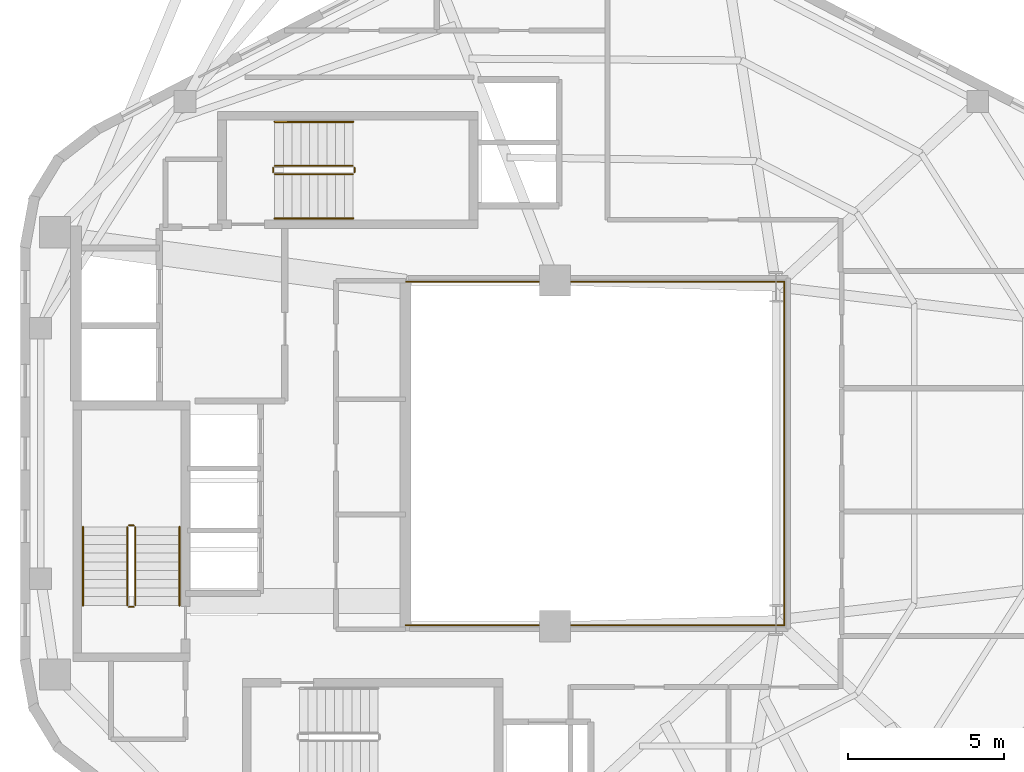
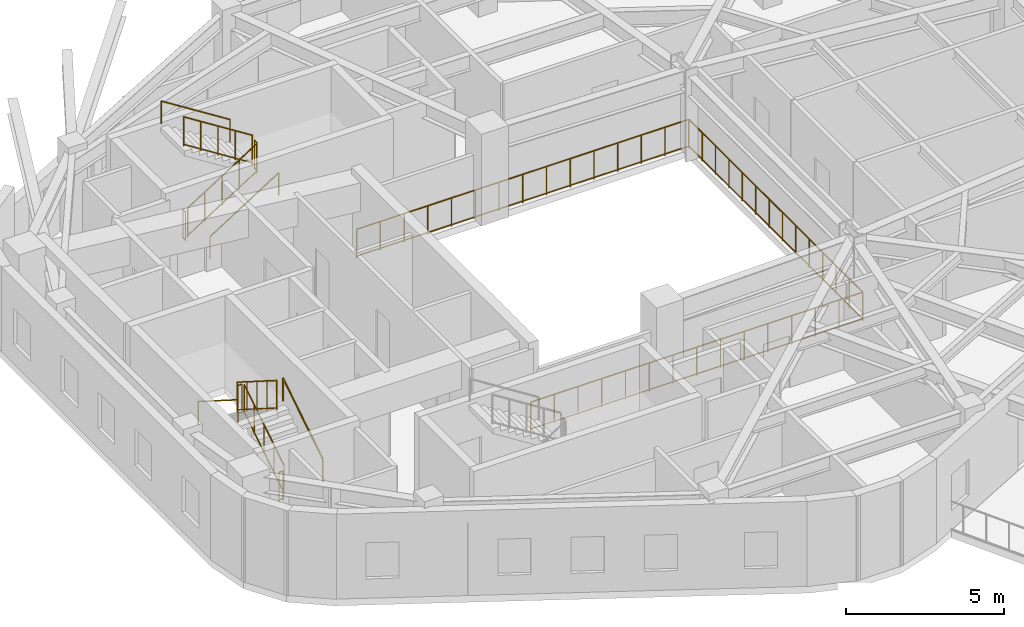
# One storey, part 8 of 8: 13 railings.
"""IFC4 building model written with IfcOpenShell, lengths in metres."""

from ifc_helpers import new_model, si_unit, direction, frame, origin, origin_2d, place, context, subcontext, project, spatial, circle, extrude, material, type_object, element, save


model = new_model("IFC4")

# Units and contexts
model_context = context("Model", 3, precision=1e-05, world=origin(), true_north=direction((0.0, 1.0)))
body_context = subcontext(model_context, "Body", "Model", "MODEL_VIEW")
ifc_project = project(units=[si_unit("LENGTHUNIT", "METRE"), si_unit("AREAUNIT", "SQUARE_METRE"), si_unit("VOLUMEUNIT", "CUBIC_METRE"), si_unit("PLANEANGLEUNIT", "RADIAN"), si_unit("MASSUNIT", "GRAM", prefix="KILO"), si_unit("THERMODYNAMICTEMPERATUREUNIT", "KELVIN"), si_unit("POWERUNIT", "WATT")], contexts=[model_context])

# Site, building, storey
site_placement = place(None, origin())
site = spatial("IfcSite", under=ifc_project, at=site_placement, CompositionType="ELEMENT")
building_placement = place(site_placement, origin())
building = spatial("IfcBuilding", under=site, at=building_placement, Name="Skarre Station Tower", CompositionType="ELEMENT")
storey_placement = place(building_placement, frame((0.0, 0.0, 245.449951171875)))
storey = spatial("IfcBuildingStorey", under=building, at=storey_placement, Name="L67", CompositionType="ELEMENT", Elevation=245.449951171875)

# Railings
ifc_material_1 = material(Name="Bronze Anodized Steel & Laminated Glass Balustrade", Category="steel")
railing_type_1 = type_object("IfcRailingType", Name="Atrium Void & Mezzanine Guard Balustrade 1120", PredefinedType="GUARDRAIL", material=ifc_material_1)
railing_1_placement = place(storey_placement, frame((27.550048828125, 18.47998046875, 0.0)))
element("IfcRailing", 1, at=railing_1_placement, inside=storey, type_object=railing_type_1, Name="L67 Atrium Void Guard Balustrade", PredefinedType="GUARDRAIL", context=body_context, shape_type="SweptSolid", body=[
    extrude(circle(Radius=0.02392578125, at=origin_2d()), frame((0.0, 0.0, 1.09619140625), z_axis=(1.0, 0.0, 0.0), x_axis=(0.0, 1.0, 0.0)), (0.0, 0.0, 1.0), 12.169921875),
    extrude(circle(Radius=0.02099609375, at=origin_2d()), frame((0.0, 0.0, 0.06005859375), z_axis=(1.0, 0.0, 0.0), x_axis=(0.0, 1.0, 0.0)), (0.0, 0.0, 1.0), 12.169921875),
    extrude(circle(Radius=0.02392578125, at=origin_2d()), frame((12.169921875, 0.0, 1.09619140625), z_axis=(0.0, 1.0, 0.0), x_axis=(-1.0, 0.0, 0.0)), (0.0, 0.0, 1.0), 11.0400390625),
    extrude(circle(Radius=0.02099609375, at=origin_2d()), frame((12.169921875, 0.0, 0.06005859375), z_axis=(0.0, 1.0, 0.0), x_axis=(-1.0, 0.0, 0.0)), (0.0, 0.0, 1.0), 11.0400390625),
    extrude(circle(Radius=0.02392578125, at=origin_2d()), frame((12.169921875, 11.0400390625, 1.09619140625), z_axis=(-1.0, 0.0, 0.0), x_axis=(0.0, -1.0, 0.0)), (0.0, 0.0, 1.0), 12.169921875),
    extrude(circle(Radius=0.02099609375, at=origin_2d()), frame((12.169921875, 11.0400390625, 0.06005859375), z_axis=(-1.0, 0.0, 0.0), x_axis=(0.0, -1.0, 0.0)), (0.0, 0.0, 1.0), 12.169921875),
    extrude(circle(Radius=0.02099609375, at=origin_2d()), origin(), (0.0, 0.0, 1.0), 1.072021484375),
    extrude(circle(Radius=0.02099609375, at=origin_2d()), frame((0.869384765625, 0.0, 0.0)), (0.0, 0.0, 1.0), 1.072021484375),
    extrude(circle(Radius=0.02099609375, at=origin_2d()), frame((1.738525390625, 0.0, 0.0)), (0.0, 0.0, 1.0), 1.072021484375),
    extrude(circle(Radius=0.02099609375, at=origin_2d()), frame((2.60791015625, 0.0, 0.0)), (0.0, 0.0, 1.0), 1.072021484375),
    extrude(circle(Radius=0.02099609375, at=origin_2d()), frame((3.47705078125, 0.0, 0.0)), (0.0, 0.0, 1.0), 1.072021484375),
    extrude(circle(Radius=0.02099609375, at=origin_2d()), frame((4.346435546875, 0.0, 0.0)), (0.0, 0.0, 1.0), 1.072021484375),
    extrude(circle(Radius=0.02099609375, at=origin_2d()), frame((5.215576171875, 0.0, 0.0)), (0.0, 0.0, 1.0), 1.072021484375),
    extrude(circle(Radius=0.02099609375, at=origin_2d()), frame((6.0849609375, 0.0, 0.0)), (0.0, 0.0, 1.0), 1.072021484375),
    extrude(circle(Radius=0.02099609375, at=origin_2d()), frame((6.954345703125, 0.0, 0.0)), (0.0, 0.0, 1.0), 1.072021484375),
    extrude(circle(Radius=0.02099609375, at=origin_2d()), frame((7.823486328125, 0.0, 0.0)), (0.0, 0.0, 1.0), 1.072021484375),
    extrude(circle(Radius=0.02099609375, at=origin_2d()), frame((8.69287109375, 0.0, 0.0)), (0.0, 0.0, 1.0), 1.072021484375),
    extrude(circle(Radius=0.02099609375, at=origin_2d()), frame((9.56201171875, 0.0, 0.0)), (0.0, 0.0, 1.0), 1.072021484375),
    extrude(circle(Radius=0.02099609375, at=origin_2d()), frame((10.431396484375, 0.0, 0.0)), (0.0, 0.0, 1.0), 1.072021484375),
    extrude(circle(Radius=0.02099609375, at=origin_2d()), frame((11.300537109375, 0.0, 0.0)), (0.0, 0.0, 1.0), 1.072021484375),
    extrude(circle(Radius=0.02099609375, at=origin_2d()), frame((12.169921875, 0.0, 0.0)), (0.0, 0.0, 1.0), 1.072021484375),
    extrude(circle(Radius=0.02099609375, at=origin_2d()), frame((12.169921875, 0.84912109375, 0.0)), (0.0, 0.0, 1.0), 1.072021484375),
    extrude(circle(Radius=0.02099609375, at=origin_2d()), frame((12.169921875, 1.698486328125, 0.0)), (0.0, 0.0, 1.0), 1.072021484375),
    extrude(circle(Radius=0.02099609375, at=origin_2d()), frame((12.169921875, 2.547607421875, 0.0)), (0.0, 0.0, 1.0), 1.072021484375),
    extrude(circle(Radius=0.02099609375, at=origin_2d()), frame((12.169921875, 3.39697265625, 0.0)), (0.0, 0.0, 1.0), 1.072021484375),
    extrude(circle(Radius=0.02099609375, at=origin_2d()), frame((12.169921875, 4.24609375, 0.0)), (0.0, 0.0, 1.0), 1.072021484375),
    extrude(circle(Radius=0.02099609375, at=origin_2d()), frame((12.169921875, 5.095458984375, 0.0)), (0.0, 0.0, 1.0), 1.072021484375),
    extrude(circle(Radius=0.02099609375, at=origin_2d()), frame((12.169921875, 5.944580078125, 0.0)), (0.0, 0.0, 1.0), 1.072021484375),
    extrude(circle(Radius=0.02099609375, at=origin_2d()), frame((12.169921875, 6.7939453125, 0.0)), (0.0, 0.0, 1.0), 1.072021484375),
    extrude(circle(Radius=0.02099609375, at=origin_2d()), frame((12.169921875, 7.64306640625, 0.0)), (0.0, 0.0, 1.0), 1.072021484375),
    extrude(circle(Radius=0.02099609375, at=origin_2d()), frame((12.169921875, 8.492431640625, 0.0)), (0.0, 0.0, 1.0), 1.072021484375),
    extrude(circle(Radius=0.02099609375, at=origin_2d()), frame((12.169921875, 9.341552734375, 0.0)), (0.0, 0.0, 1.0), 1.072021484375),
    extrude(circle(Radius=0.02099609375, at=origin_2d()), frame((12.169921875, 10.19091796875, 0.0)), (0.0, 0.0, 1.0), 1.072021484375),
    extrude(circle(Radius=0.02099609375, at=origin_2d()), frame((12.169921875, 11.0400390625, 0.0)), (0.0, 0.0, 1.0), 1.072021484375),
    extrude(circle(Radius=0.02099609375, at=origin_2d()), frame((11.300537109375, 11.0400390625, 0.0)), (0.0, 0.0, 1.0), 1.072021484375),
    extrude(circle(Radius=0.02099609375, at=origin_2d()), frame((10.431396484375, 11.0400390625, 0.0)), (0.0, 0.0, 1.0), 1.072021484375),
    extrude(circle(Radius=0.02099609375, at=origin_2d()), frame((9.56201171875, 11.0400390625, 0.0)), (0.0, 0.0, 1.0), 1.072021484375),
    extrude(circle(Radius=0.02099609375, at=origin_2d()), frame((8.69287109375, 11.0400390625, 0.0)), (0.0, 0.0, 1.0), 1.072021484375),
    extrude(circle(Radius=0.02099609375, at=origin_2d()), frame((7.823486328125, 11.0400390625, 0.0)), (0.0, 0.0, 1.0), 1.072021484375),
    extrude(circle(Radius=0.02099609375, at=origin_2d()), frame((6.954345703125, 11.0400390625, 0.0)), (0.0, 0.0, 1.0), 1.072021484375),
    extrude(circle(Radius=0.02099609375, at=origin_2d()), frame((6.0849609375, 11.0400390625, 0.0)), (0.0, 0.0, 1.0), 1.072021484375),
    extrude(circle(Radius=0.02099609375, at=origin_2d()), frame((5.215576171875, 11.0400390625, 0.0)), (0.0, 0.0, 1.0), 1.072021484375),
    extrude(circle(Radius=0.02099609375, at=origin_2d()), frame((4.346435546875, 11.0400390625, 0.0)), (0.0, 0.0, 1.0), 1.072021484375),
    extrude(circle(Radius=0.02099609375, at=origin_2d()), frame((3.47705078125, 11.0400390625, 0.0)), (0.0, 0.0, 1.0), 1.072021484375),
    extrude(circle(Radius=0.02099609375, at=origin_2d()), frame((2.60791015625, 11.0400390625, 0.0)), (0.0, 0.0, 1.0), 1.072021484375),
    extrude(circle(Radius=0.02099609375, at=origin_2d()), frame((1.738525390625, 11.0400390625, 0.0)), (0.0, 0.0, 1.0), 1.072021484375),
    extrude(circle(Radius=0.02099609375, at=origin_2d()), frame((0.869384765625, 11.0400390625, 0.0)), (0.0, 0.0, 1.0), 1.072021484375),
    extrude(circle(Radius=0.02099609375, at=origin_2d()), frame((0.0, 11.0400390625, 0.0)), (0.0, 0.0, 1.0), 1.072021484375),
])
ifc_material_2 = material(Name="Powder-Coated Tubular Steel", Category="steel")
railing_type_2 = type_object("IfcRailingType", Name="Painted Steel Ramp & Stair Handrail 920", PredefinedType="HANDRAIL", material=ifc_material_2)
railing_2_placement = place(storey_placement, frame((20.300048828125, 19.1201171875, 0.177490234375)))
element("IfcRailing", 2, at=railing_2_placement, inside=storey, type_object=railing_type_2, Name="L67 ST-1 stair handrail 1", PredefinedType="HANDRAIL", context=body_context, shape_type="SweptSolid", body=[
    extrude(circle(Radius=0.02392578125, at=origin_2d()), frame((0.0, 0.0, 0.8759765625), z_axis=(0.0, 0.844546487299, 0.535482241341), x_axis=(-1.0, 0.0, 0.0)), (0.0, 0.0, 1.0), 2.983642578125),
    extrude(circle(Radius=0.02099609375, at=origin_2d()), origin(), (0.0, 0.0, 1.0), 0.851806640625),
    extrude(circle(Radius=0.02099609375, at=origin_2d()), frame((0.0, 2.519775390625, 1.59765625)), (0.0, 0.0, 1.0), 0.851806640625),
])
railing_3_placement = place(storey_placement, frame((17.199951171875, 21.639892578125, 1.95263671875)))
element("IfcRailing", 3, at=railing_3_placement, inside=storey, type_object=railing_type_2, Name="L67 ST-1 stair handrail 2", PredefinedType="HANDRAIL", context=body_context, shape_type="SweptSolid", body=[
    extrude(circle(Radius=0.02392578125, at=origin_2d()), frame((0.0, 0.0, 0.8759765625), z_axis=(0.0, -0.844583492756, 0.535423872987), x_axis=(1.0, 0.0, 0.0)), (0.0, 0.0, 1.0), 2.9833984375),
    extrude(circle(Radius=0.02099609375, at=origin_2d()), origin(), (0.0, 0.0, 1.0), 0.851806640625),
    extrude(circle(Radius=0.02099609375, at=origin_2d()), frame((0.0, -2.519775390625, 1.597412109375)), (0.0, 0.0, 1.0), 0.851806640625),
])
railing_4_placement = place(storey_placement, frame((23.35009765625, 31.550048828125, 0.177490234375)))
element("IfcRailing", 4, at=railing_4_placement, inside=storey, type_object=railing_type_2, Name="L67 ST-3 stair handrail 1", PredefinedType="HANDRAIL", context=body_context, shape_type="SweptSolid", body=[
    extrude(circle(Radius=0.02392578125, at=origin_2d()), frame((0.0, 0.0, 0.8759765625), z_axis=(0.84456994832, 0.0, 0.535445237532), x_axis=(0.0, 1.0, 0.0)), (0.0, 0.0, 1.0), 2.98388671875),
    extrude(circle(Radius=0.02099609375, at=origin_2d()), origin(), (0.0, 0.0, 1.0), 0.851806640625),
    extrude(circle(Radius=0.02099609375, at=origin_2d()), frame((2.52001953125, 0.0, 1.59765625)), (0.0, 0.0, 1.0), 0.851806640625),
])
railing_5_placement = place(storey_placement, frame((25.8701171875, 34.64990234375, 1.95263671875)))
element("IfcRailing", 5, at=railing_5_placement, inside=storey, type_object=railing_type_2, Name="L67 ST-3 stair handrail 2", PredefinedType="HANDRAIL", context=body_context, shape_type="SweptSolid", body=[
    extrude(circle(Radius=0.02392578125, at=origin_2d()), frame((0.0, 0.0, 0.8759765625), z_axis=(-0.84460694969, 0.0, 0.535386869969), x_axis=(0.0, -1.0, 0.0)), (0.0, 0.0, 1.0), 2.983642578125),
    extrude(circle(Radius=0.02099609375, at=origin_2d()), origin(), (0.0, 0.0, 1.0), 0.851806640625),
    extrude(circle(Radius=0.02099609375, at=origin_2d()), frame((-2.52001953125, 0.0, 1.597412109375)), (0.0, 0.0, 1.0), 0.851806640625),
])
railing_type_3 = type_object("IfcRailingType", Name="Painted Steel Stairwell Guardrail 1100", PredefinedType="GUARDRAIL", material=ifc_material_2)
railing_6_placement = place(storey_placement, frame((18.8798828125, 19.1201171875, 0.177490234375)))
element("IfcRailing", 6, at=railing_6_placement, inside=storey, type_object=railing_type_3, Name="L67 ST-1 stair guard 1", PredefinedType="GUARDRAIL", context=body_context, shape_type="SweptSolid", body=[
    extrude(circle(Radius=0.02392578125, at=origin_2d()), frame((0.0, 0.0, 1.1259765625), z_axis=(0.0, 0.844546487299, 0.535482241341), x_axis=(-1.0, 0.0, 0.0)), (0.0, 0.0, 1.0), 2.983642578125),
    extrude(circle(Radius=0.02099609375, at=origin_2d()), frame((0.0, 0.0, 0.06005859375), z_axis=(0.0, 0.844546487299, 0.535482241341), x_axis=(-1.0, 0.0, 0.0)), (0.0, 0.0, 1.0), 2.983642578125),
    extrude(circle(Radius=0.02099609375, at=origin_2d()), origin(), (0.0, 0.0, 1.0), 1.101806640625),
    extrude(circle(Radius=0.02099609375, at=origin_2d()), frame((0.0, 0.6298828125, 0.3994140625)), (0.0, 0.0, 1.0), 1.101806640625),
    extrude(circle(Radius=0.02099609375, at=origin_2d()), frame((0.0, 1.259765625, 0.798828125)), (0.0, 0.0, 1.0), 1.101806640625),
    extrude(circle(Radius=0.02099609375, at=origin_2d()), frame((0.0, 1.889892578125, 1.1982421875)), (0.0, 0.0, 1.0), 1.101806640625),
    extrude(circle(Radius=0.02099609375, at=origin_2d()), frame((0.0, 2.519775390625, 1.59765625)), (0.0, 0.0, 1.0), 1.101806640625),
])
railing_7_placement = place(storey_placement, frame((18.830078125, 21.68994140625, 1.775146484375)))
element("IfcRailing", 7, at=railing_7_placement, inside=storey, type_object=railing_type_3, Name="L67 ST-1 stair guard 2", PredefinedType="GUARDRAIL", context=body_context, shape_type="SweptSolid", body=[
    extrude(circle(Radius=0.02392578125, at=origin_2d()), frame((0.0, 0.0, 1.1259765625), z_axis=(-1.0, 0.0, 0.0), x_axis=(0.0, -1.0, 0.0)), (0.0, 0.0, 1.0), 0.16015625),
    extrude(circle(Radius=0.02099609375, at=origin_2d()), frame((0.0, 0.0, 0.06005859375), z_axis=(-1.0, 0.0, 0.0), x_axis=(0.0, -1.0, 0.0)), (0.0, 0.0, 1.0), 0.16015625),
    extrude(circle(Radius=0.02099609375, at=origin_2d()), origin(), (0.0, 0.0, 1.0), 1.101806640625),
    extrude(circle(Radius=0.02099609375, at=origin_2d()), frame((-0.16015625, 0.0, 0.0)), (0.0, 0.0, 1.0), 1.101806640625),
])
railing_8_placement = place(storey_placement, frame((18.6201171875, 21.639892578125, 1.95263671875)))
element("IfcRailing", 8, at=railing_8_placement, inside=storey, type_object=railing_type_3, Name="L67 ST-1 stair guard 3", PredefinedType="GUARDRAIL", context=body_context, shape_type="SweptSolid", body=[
    extrude(circle(Radius=0.02392578125, at=origin_2d()), frame((0.0, 0.0, 1.1259765625), z_axis=(0.0, -0.844583492756, 0.535423872987), x_axis=(1.0, 0.0, 0.0)), (0.0, 0.0, 1.0), 2.9833984375),
    extrude(circle(Radius=0.02099609375, at=origin_2d()), frame((0.0, 0.0, 0.06005859375), z_axis=(0.0, -0.844583492756, 0.535423872987), x_axis=(1.0, 0.0, 0.0)), (0.0, 0.0, 1.0), 2.9833984375),
    extrude(circle(Radius=0.02099609375, at=origin_2d()), origin(), (0.0, 0.0, 1.0), 1.101806640625),
    extrude(circle(Radius=0.02099609375, at=origin_2d()), frame((0.0, -0.6298828125, 0.3994140625)), (0.0, 0.0, 1.0), 1.101806640625),
    extrude(circle(Radius=0.02099609375, at=origin_2d()), frame((0.0, -1.259765625, 0.798828125)), (0.0, 0.0, 1.0), 1.101806640625),
    extrude(circle(Radius=0.02099609375, at=origin_2d()), frame((0.0, -1.889892578125, 1.197998046875)), (0.0, 0.0, 1.0), 1.101806640625),
    extrude(circle(Radius=0.02099609375, at=origin_2d()), frame((0.0, -2.519775390625, 1.597412109375)), (0.0, 0.0, 1.0), 1.101806640625),
])
railing_9_placement = place(storey_placement, frame((18.830078125, 19.070068359375, 0.0)))
element("IfcRailing", 9, at=railing_9_placement, inside=storey, type_object=railing_type_3, Name="L67 ST-1 stair guard 4", PredefinedType="GUARDRAIL", context=body_context, shape_type="SweptSolid", body=[
    extrude(circle(Radius=0.02392578125, at=origin_2d()), frame((0.0, 0.0, 1.1259765625), z_axis=(-1.0, 0.0, 0.0), x_axis=(0.0, -1.0, 0.0)), (0.0, 0.0, 1.0), 0.16015625),
    extrude(circle(Radius=0.02099609375, at=origin_2d()), frame((0.0, 0.0, 0.06005859375), z_axis=(-1.0, 0.0, 0.0), x_axis=(0.0, -1.0, 0.0)), (0.0, 0.0, 1.0), 0.16015625),
    extrude(circle(Radius=0.02099609375, at=origin_2d()), origin(), (0.0, 0.0, 1.0), 1.101806640625),
    extrude(circle(Radius=0.02099609375, at=origin_2d()), frame((-0.16015625, 0.0, 0.0)), (0.0, 0.0, 1.0), 1.101806640625),
])
railing_10_placement = place(storey_placement, frame((23.35009765625, 32.969970703125, 0.177490234375)))
element("IfcRailing", 10, at=railing_10_placement, inside=storey, type_object=railing_type_3, Name="L67 ST-3 stair guard 1", PredefinedType="GUARDRAIL", context=body_context, shape_type="SweptSolid", body=[
    extrude(circle(Radius=0.02392578125, at=origin_2d()), frame((0.0, 0.0, 1.1259765625), z_axis=(0.84456994832, 0.0, 0.535445237532), x_axis=(0.0, 1.0, 0.0)), (0.0, 0.0, 1.0), 2.98388671875),
    extrude(circle(Radius=0.02099609375, at=origin_2d()), frame((0.0, 0.0, 0.06005859375), z_axis=(0.84456994832, 0.0, 0.535445237532), x_axis=(0.0, 1.0, 0.0)), (0.0, 0.0, 1.0), 2.98388671875),
    extrude(circle(Radius=0.02099609375, at=origin_2d()), origin(), (0.0, 0.0, 1.0), 1.101806640625),
    extrude(circle(Radius=0.02099609375, at=origin_2d()), frame((0.6298828125, 0.0, 0.3994140625)), (0.0, 0.0, 1.0), 1.101806640625),
    extrude(circle(Radius=0.02099609375, at=origin_2d()), frame((1.260009765625, 0.0, 0.798828125)), (0.0, 0.0, 1.0), 1.101806640625),
    extrude(circle(Radius=0.02099609375, at=origin_2d()), frame((1.89013671875, 0.0, 1.1982421875)), (0.0, 0.0, 1.0), 1.101806640625),
    extrude(circle(Radius=0.02099609375, at=origin_2d()), frame((2.52001953125, 0.0, 1.59765625)), (0.0, 0.0, 1.0), 1.101806640625),
])
railing_11_placement = place(storey_placement, frame((25.919921875, 33.02001953125, 1.775146484375)))
element("IfcRailing", 11, at=railing_11_placement, inside=storey, type_object=railing_type_3, Name="L67 ST-3 stair guard 2", PredefinedType="GUARDRAIL", context=body_context, shape_type="SweptSolid", body=[
    extrude(circle(Radius=0.02392578125, at=origin_2d()), frame((0.0, 0.0, 1.1259765625), z_axis=(0.0, 1.0, 0.0), x_axis=(-1.0, 0.0, 0.0)), (0.0, 0.0, 1.0), 0.159912109375),
    extrude(circle(Radius=0.02099609375, at=origin_2d()), frame((0.0, 0.0, 0.06005859375), z_axis=(0.0, 1.0, 0.0), x_axis=(-1.0, 0.0, 0.0)), (0.0, 0.0, 1.0), 0.159912109375),
    extrude(circle(Radius=0.02099609375, at=origin_2d()), origin(), (0.0, 0.0, 1.0), 1.101806640625),
    extrude(circle(Radius=0.02099609375, at=origin_2d()), frame((0.0, 0.159912109375, 0.0)), (0.0, 0.0, 1.0), 1.101806640625),
])
railing_12_placement = place(storey_placement, frame((25.8701171875, 33.22998046875, 1.95263671875)))
element("IfcRailing", 12, at=railing_12_placement, inside=storey, type_object=railing_type_3, Name="L67 ST-3 stair guard 3", PredefinedType="GUARDRAIL", context=body_context, shape_type="SweptSolid", body=[
    extrude(circle(Radius=0.02392578125, at=origin_2d()), frame((0.0, 0.0, 1.1259765625), z_axis=(-0.84460694969, 0.0, 0.535386869969), x_axis=(0.0, -1.0, 0.0)), (0.0, 0.0, 1.0), 2.983642578125),
    extrude(circle(Radius=0.02099609375, at=origin_2d()), frame((0.0, 0.0, 0.06005859375), z_axis=(-0.84460694969, 0.0, 0.535386869969), x_axis=(0.0, -1.0, 0.0)), (0.0, 0.0, 1.0), 2.983642578125),
    extrude(circle(Radius=0.02099609375, at=origin_2d()), origin(), (0.0, 0.0, 1.0), 1.101806640625),
    extrude(circle(Radius=0.02099609375, at=origin_2d()), frame((-0.6298828125, 0.0, 0.3994140625)), (0.0, 0.0, 1.0), 1.101806640625),
    extrude(circle(Radius=0.02099609375, at=origin_2d()), frame((-1.260009765625, 0.0, 0.798828125)), (0.0, 0.0, 1.0), 1.101806640625),
    extrude(circle(Radius=0.02099609375, at=origin_2d()), frame((-1.89013671875, 0.0, 1.197998046875)), (0.0, 0.0, 1.0), 1.101806640625),
    extrude(circle(Radius=0.02099609375, at=origin_2d()), frame((-2.52001953125, 0.0, 1.597412109375)), (0.0, 0.0, 1.0), 1.101806640625),
])
railing_13_placement = place(storey_placement, frame((23.300048828125, 33.02001953125, 0.0)))
element("IfcRailing", 13, at=railing_13_placement, inside=storey, type_object=railing_type_3, Name="L67 ST-3 stair guard 4", PredefinedType="GUARDRAIL", context=body_context, shape_type="SweptSolid", body=[
    extrude(circle(Radius=0.02392578125, at=origin_2d()), frame((0.0, 0.0, 1.1259765625), z_axis=(0.0, 1.0, 0.0), x_axis=(-1.0, 0.0, 0.0)), (0.0, 0.0, 1.0), 0.159912109375),
    extrude(circle(Radius=0.02099609375, at=origin_2d()), frame((0.0, 0.0, 0.06005859375), z_axis=(0.0, 1.0, 0.0), x_axis=(-1.0, 0.0, 0.0)), (0.0, 0.0, 1.0), 0.159912109375),
    extrude(circle(Radius=0.02099609375, at=origin_2d()), origin(), (0.0, 0.0, 1.0), 1.101806640625),
    extrude(circle(Radius=0.02099609375, at=origin_2d()), frame((0.0, 0.159912109375, 0.0)), (0.0, 0.0, 1.0), 1.101806640625),
])

save(model, "model.ifc")
